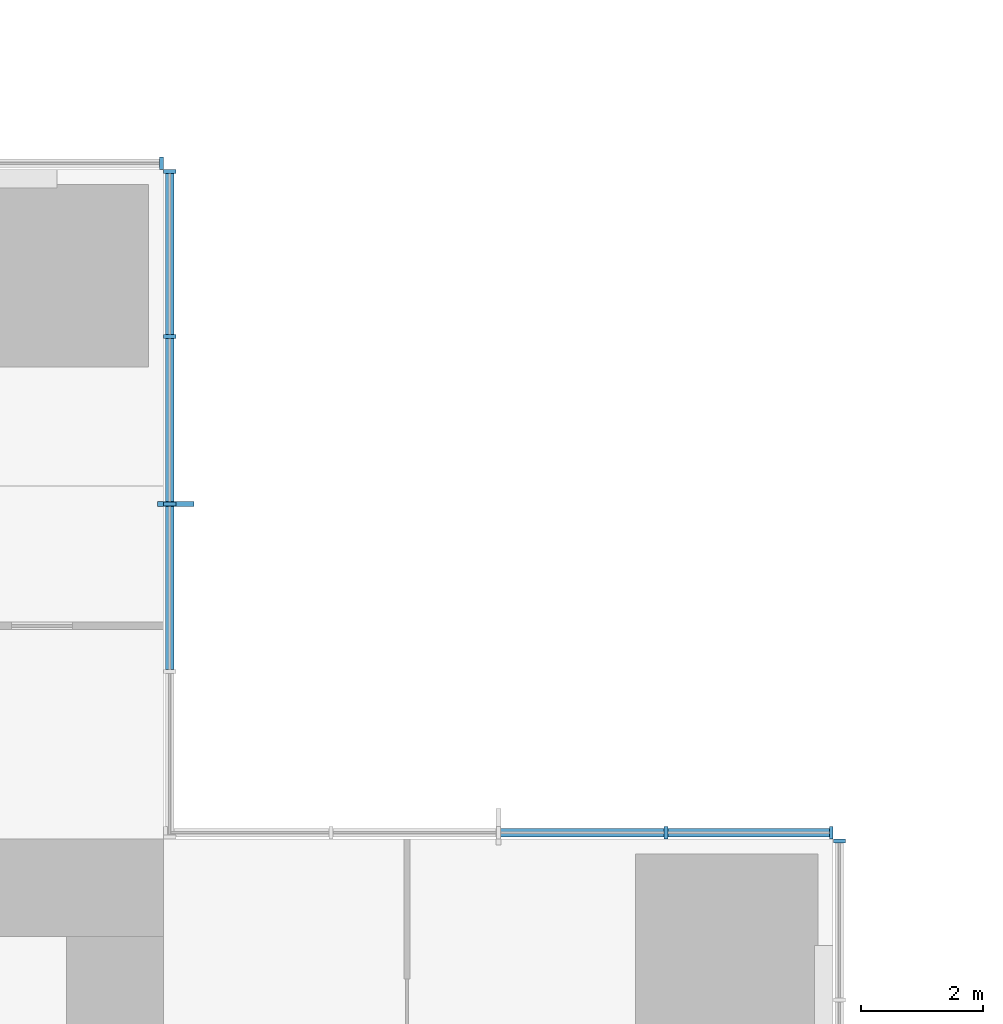
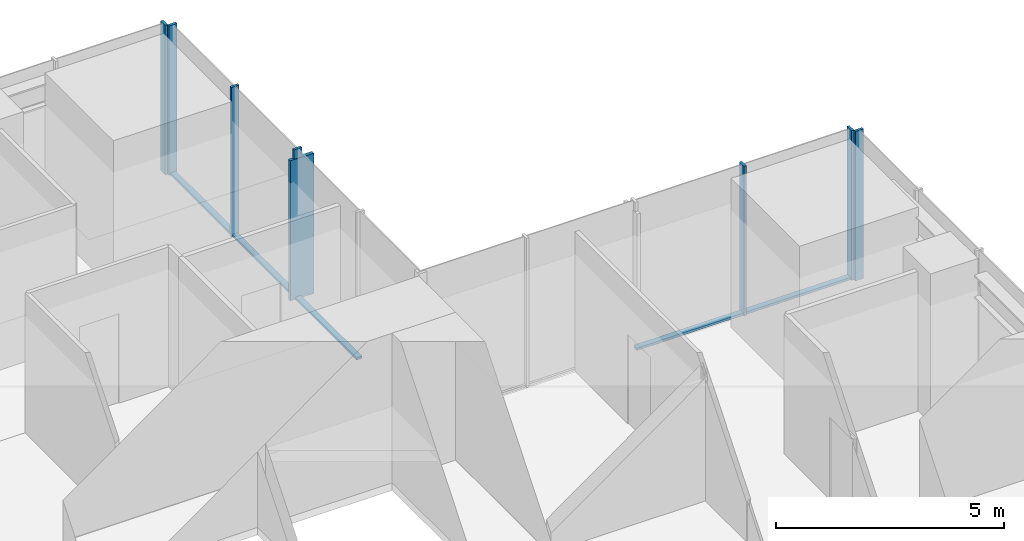
# One storey, part 6 of 14: 13 members, 4 elements without a shape of their own.
"""IFC4 building model written with IfcOpenShell, lengths in metres."""

import ifcopenshell
import ifcopenshell.guid

model = None  # the IFC model being written
_history = None  # IfcOwnerHistory: only IFC2X3 demands one
_inside = {}  # id of a spatial element -> (the spatial element, [elements in it])
_under = {}  # id of a project, library or spatial element -> (it, [spatial elements below it])
_declared = {}  # id of a project -> (the project, [libraries it declares])
_typed = {}  # id of a type object -> (the type object, [elements of that type])
_made_of = {}  # id of a material, layer set ... -> (it, [elements and type objects made of it])


def new_model(schema):
    """Start an empty IFC model of exactly this schema.

    Asked for "IFC4X3", IfcOpenShell would pick the latest addendum, in which some entities
    have other attributes; the version numbers below select the first issue.
    IFC2X3 requires an IfcOwnerHistory on every rooted entity: one is made here for all.
    """
    global model, _history
    if schema == "IFC4X3":
        model = ifcopenshell.file(schema_version=(4, 3, 0, 0))
    else:
        model = ifcopenshell.file(schema=schema)
    _inside.clear()
    _under.clear()
    _declared.clear()
    _typed.clear()
    _made_of.clear()
    _history = None
    if model.schema == "IFC2X3":
        org = make("IfcOrganization", Name="unknown")
        user = make(
            "IfcPersonAndOrganization",
            ThePerson=make("IfcPerson", FamilyName="unknown"),
            TheOrganization=org,
        )
        app = make(
            "IfcApplication",
            ApplicationDeveloper=org,
            Version="unknown",
            ApplicationFullName="unknown",
            ApplicationIdentifier="unknown",
        )
        _history = make(
            "IfcOwnerHistory",
            OwningUser=user,
            OwningApplication=app,
            ChangeAction="ADDED",
            CreationDate=0,
        )
    return model


def make(cls, **values):
    """One entity of the class cls with the attributes given. An attribute that is None is left unset."""
    return model.create_entity(
        cls, **{name: value for name, value in values.items() if value is not None}
    )


def rooted(cls, **values):
    """An entity with a GlobalId (a new one), such as an element, a storey or a relation."""
    return make(cls, GlobalId=ifcopenshell.guid.new(), OwnerHistory=_history, **values)


def si_unit(unit_type, name, prefix=None):
    """IfcSIUnit, for example si_unit("LENGTHUNIT", "METRE", prefix="MILLI")."""
    return make("IfcSIUnit", UnitType=unit_type, Prefix=prefix, Name=name)


def assignment(units):
    """IfcUnitAssignment: the units of a project."""
    return None if units is None else make("IfcUnitAssignment", Units=units)


def point(xyz):
    """IfcCartesianPoint."""
    return None if xyz is None else make("IfcCartesianPoint", Coordinates=xyz)


def direction(xyz):
    """IfcDirection."""
    return None if xyz is None else make("IfcDirection", DirectionRatios=xyz)


def frame(location, z_axis=None, x_axis=None):
    """IfcAxis2Placement3D, a coordinate frame: its origin and axes. An axis left out is left unset."""
    return make(
        "IfcAxis2Placement3D",
        Location=point(location),
        Axis=direction(z_axis),
        RefDirection=direction(x_axis),
    )


def frame_2d(location, x_axis=None):
    """IfcAxis2Placement2D, a coordinate frame in the plane: its origin and x axis."""
    return make(
        "IfcAxis2Placement2D", Location=point(location), RefDirection=direction(x_axis)
    )


def origin():
    """The frame at (0, 0, 0) with its axes left unset."""
    return frame((0.0, 0.0, 0.0))


def origin_2d():
    """The frame at (0, 0) in the plane with its x axis left unset."""
    return frame_2d((0.0, 0.0))


def place(relative_to, where):
    """IfcLocalPlacement: puts the frame where relative to a parent placement (None: the world)."""
    return make(
        "IfcLocalPlacement", PlacementRelTo=relative_to, RelativePlacement=where
    )


def context(
    kind, dimensions, precision=None, world=None, true_north=None, identifier=None
):
    """IfcGeometricRepresentationContext, for example the 3D "Model" context."""
    return make(
        "IfcGeometricRepresentationContext",
        ContextIdentifier=identifier,
        ContextType=kind,
        CoordinateSpaceDimension=dimensions,
        Precision=precision,
        WorldCoordinateSystem=world,
        TrueNorth=true_north,
    )


def subcontext(parent, identifier, kind, view, scale=None):
    """IfcGeometricRepresentationSubContext, for example "Body" below "Model"."""
    return make(
        "IfcGeometricRepresentationSubContext",
        ContextIdentifier=identifier,
        ContextType=kind,
        ParentContext=parent,
        TargetScale=scale,
        TargetView=view,
    )


def project(units=None, contexts=None):
    """IfcProject with its units and contexts."""
    return rooted(
        "IfcProject",
        Name="project",
        RepresentationContexts=contexts,
        UnitsInContext=assignment(units),
    )


def spatial(cls, under=None, at=None, **own):
    """A site, building, storey or space (cls), placed at a placement, below another one or the project."""
    s = rooted(cls, ObjectPlacement=at, **own)
    if under is not None:
        _under.setdefault(under.id(), (under, []))[1].append(s)
    return s


def profile(cls, at=None, kind="AREA", **sizes):
    """A parametric profile (cls). Its sizes go by their IFC names, for example OverallWidth=200.0."""
    return make(cls, ProfileType=kind, Position=at, **sizes)


def rectangle(**sizes):
    """IfcRectangleProfileDef."""
    return profile("IfcRectangleProfileDef", **sizes)


def extrude(swept, where, along, depth):
    """IfcExtrudedAreaSolid: the profile swept, set in the frame where, extruded along a direction by depth."""
    return make(
        "IfcExtrudedAreaSolid",
        SweptArea=swept,
        Position=where,
        ExtrudedDirection=direction(along),
        Depth=depth,
    )


def shape(context_of_items, identifier, shape_type, items):
    """IfcShapeRepresentation: the items that make up one representation, for example the "Body"."""
    return make(
        "IfcShapeRepresentation",
        ContextOfItems=context_of_items,
        RepresentationIdentifier=identifier,
        RepresentationType=shape_type,
        Items=items,
    )


def material(Name=None, Category=None):
    """IfcMaterial."""
    return make("IfcMaterial", Name=Name, Category=Category)


def material_profile(
    of_material, cross_section, Name=None, Category=None, Priority=None
):
    """IfcMaterialProfile: a cross section and its material."""
    return make(
        "IfcMaterialProfile",
        Name=Name,
        Material=of_material,
        Profile=cross_section,
        Priority=Priority,
        Category=Category,
    )


def profile_set(profiles, Name=None, composite=None):
    """IfcMaterialProfileSet."""
    return make(
        "IfcMaterialProfileSet",
        Name=Name,
        MaterialProfiles=profiles,
        CompositeProfile=composite,
    )


def made_of(thing, what):
    """Note that an element or type object is made of a material, layer set ...; save() writes the relation."""
    if what is not None:
        _made_of.setdefault(what.id(), (what, []))[1].append(thing)
    return thing


def type_object(cls, material=None, **own):
    """A type object (cls), such as IfcWallType, which elements share."""
    return made_of(rooted(cls, **own), material)


def element(
    cls,
    number,
    at=None,
    inside=None,
    cuts=None,
    type_object=None,
    material=None,
    context=None,
    identifier="Body",
    shape_type=None,
    held_by="IfcProductDefinitionShape",
    body=None,
    shapes=None,
    **own,
):
    """One element of the class cls, such as IfcWall. Its Tag is "e" and its number.

    at: its placement. inside: the storey or other place that contains it. cuts: it is an
    opening in that element (IfcRelVoidsElement). A single representation is given by context,
    identifier, shape_type and body (its items); several are given by shapes. held_by: the class
    of the entity that holds the representations. save() writes the other relations.
    """
    e = rooted(cls, Tag="e%d" % number, ObjectPlacement=at, **own)
    if body is not None:
        shapes = [shape(context, identifier, shape_type, body)]
    if shapes is not None:
        e.Representation = make(held_by, Representations=shapes)
    if inside is not None:
        _inside.setdefault(inside.id(), (inside, []))[1].append(e)
    if cuts is not None:
        rooted(
            "IfcRelVoidsElement", RelatingBuildingElement=cuts, RelatedOpeningElement=e
        )
    if type_object is not None:
        _typed.setdefault(type_object.id(), (type_object, []))[1].append(e)
    return made_of(e, material)


def aggregate(whole, parts):
    """IfcRelAggregates: a whole, such as a stair, and the parts it consists of."""
    return rooted("IfcRelAggregates", RelatingObject=whole, RelatedObjects=parts)


def save(model, path):
    """Write the relations noted so far, then the file.

    IfcRelAggregates (storeys below a building ...), IfcRelContainedInSpatialStructure (elements
    in a storey), IfcRelDefinesByType, IfcRelAssociatesMaterial and IfcRelDeclares: one each for
    every whole, place, type object, material and project.
    """
    for whole, parts in _under.values():
        aggregate(whole, parts)
    for where, things in _inside.values():
        rooted(
            "IfcRelContainedInSpatialStructure",
            RelatedElements=things,
            RelatingStructure=where,
        )
    for kind, things in _typed.values():
        rooted("IfcRelDefinesByType", RelatedObjects=things, RelatingType=kind)
    for what, things in _made_of.values():
        rooted("IfcRelAssociatesMaterial", RelatedObjects=things, RelatingMaterial=what)
    for by, libraries in _declared.values():
        rooted("IfcRelDeclares", RelatingContext=by, RelatedDefinitions=libraries)
    model.write(path)


model = new_model("IFC4")

# Units and contexts
model_context = context("Model", 3, precision=1e-05, world=origin(), true_north=direction((0.0, 1.0)))
body_context = subcontext(model_context, "Body", "Model", "MODEL_VIEW")
ifc_project = project(units=[si_unit("LENGTHUNIT", "METRE"), si_unit("AREAUNIT", "SQUARE_METRE"), si_unit("VOLUMEUNIT", "CUBIC_METRE"), si_unit("PLANEANGLEUNIT", "RADIAN"), si_unit("MASSUNIT", "GRAM", prefix="KILO")], contexts=[model_context])

# Site, building, storey
site_placement = place(None, origin())
site = spatial("IfcSite", under=ifc_project, at=site_placement, CompositionType="ELEMENT")
building_placement = place(site_placement, origin())
building = spatial("IfcBuilding", under=site, at=building_placement, Name="Svetlomir Tower", CompositionType="ELEMENT")
storey_placement = place(building_placement, frame((0.0, 0.0, 104.5)))
storey = spatial("IfcBuildingStorey", under=building, at=storey_placement, Name="L24", CompositionType="ELEMENT", Elevation=104.5)

# Curtain wall, member
ifc_material_1 = material(Name="Bronze anodised aluminium curtain wall", Category="aluminium")
curtain_wall_type = type_object("IfcCurtainWallType", Name="CURTAIN WALL CW1 TOWER OFFICE", PredefinedType="NOTDEFINED", material=ifc_material_1)
curtain_wall_1_placement = place(storey_placement, origin())
curtain_wall_1 = element("IfcCurtainWall", 1, at=curtain_wall_1_placement, inside=storey, type_object=curtain_wall_type, Name="Curtain wall CW1 L24", PredefinedType="NOTDEFINED")
ifc_material_2 = material(Name="Bronze anodised aluminium", Category="aluminium")
ifc_material_profile_1 = material_profile(ifc_material_2, rectangle(XDim=0.080078125, YDim=0.60009765625, at=origin_2d()), Name="FIN 80x600")
ifc_profile_set_1 = profile_set([ifc_material_profile_1], Name="Bronze anodised aluminium 6063-T6")
member_type_1 = type_object("IfcMemberType", Name="BRONZE FIN 80x600", PredefinedType="USERDEFINED", material=ifc_profile_set_1)
member_1_placement = place(storey_placement, frame((31.199951171875, 36.5, 0.0), z_axis=(0.0, 0.0, 1.0), x_axis=(0.0, 1.0, 0.0)))
member_1 = element("IfcMember", 2, at=member_1_placement, type_object=member_type_1, Name="Bronze fin L24", ObjectType="FIN", PredefinedType="USERDEFINED", context=body_context, shape_type="SweptSolid", body=[
    extrude(rectangle(XDim=0.080078125, YDim=0.60009765625, at=origin_2d()), origin(), (0.0, 0.0, 1.0), 3.75),
])

curtain_wall_2_placement = place(storey_placement, origin())
curtain_wall_2 = element("IfcCurtainWall", 3, at=curtain_wall_2_placement, inside=storey, type_object=curtain_wall_type, Name="Curtain wall CW1 L24", PredefinedType="NOTDEFINED")
ifc_material_3 = material(Name="Bronze anodised aluminium", Category="aluminium")
ifc_material_profile_2 = material_profile(ifc_material_3, rectangle(XDim=0.06494140625, YDim=0.199951171875, at=origin_2d()), Name="AL 65x200")
ifc_profile_set_2 = profile_set([ifc_material_profile_2], Name="Bronze anodised aluminium 6063-T6")
member_type_2 = type_object("IfcMemberType", Name="CW1 MULLION 65x200", PredefinedType="MULLION", material=ifc_profile_set_2)
member_2_placement = place(storey_placement, frame((42.10009765625, 30.967529296875, 0.0), z_axis=(0.0, 0.0, 1.0), x_axis=(0.0, 1.0, 0.0)))
member_2 = element("IfcMember", 4, at=member_2_placement, type_object=member_type_2, Name="CW1 mullion 5", PredefinedType="MULLION", context=body_context, shape_type="SweptSolid", body=[
    extrude(rectangle(XDim=0.06494140625, YDim=0.199951171875, at=origin_2d()), origin(), (0.0, 0.0, 1.0), 4.0),
])
aggregate(curtain_wall_2, [member_2])

# Curtain wall, members
curtain_wall_3_placement = place(storey_placement, origin())
curtain_wall_3 = element("IfcCurtainWall", 5, at=curtain_wall_3_placement, inside=storey, type_object=curtain_wall_type, Name="Curtain wall CW1 L24", PredefinedType="NOTDEFINED")
member_3_placement = place(storey_placement, frame((41.967529296875, 31.10009765625, 0.0), z_axis=(0.0, 0.0, 1.0), x_axis=(-1.0, 0.0, 0.0)))
member_3 = element("IfcMember", 6, at=member_3_placement, type_object=member_type_2, Name="CW1 mullion 1", PredefinedType="MULLION", context=body_context, shape_type="SweptSolid", body=[
    extrude(rectangle(XDim=0.06494140625, YDim=0.199951171875, at=origin_2d()), origin(), (0.0, 0.0, 1.0), 4.0),
])
member_4_placement = place(storey_placement, frame((39.25, 31.10009765625, 0.0), z_axis=(0.0, 0.0, 1.0), x_axis=(-1.0, 0.0, 0.0)))
member_4 = element("IfcMember", 7, at=member_4_placement, type_object=member_type_2, Name="CW1 mullion 2", PredefinedType="MULLION", context=body_context, shape_type="SweptSolid", body=[
    extrude(rectangle(XDim=0.06494140625, YDim=0.199951171875, at=origin_2d()), origin(), (0.0, 0.0, 1.0), 4.0),
])

# Member
member_5_placement = place(storey_placement, frame((31.10009765625, 36.5, 0.0), z_axis=(0.0, 0.0, 1.0), x_axis=(0.0, 1.0, 0.0)))
member_5 = element("IfcMember", 8, at=member_5_placement, type_object=member_type_2, Name="CW1 mullion 3", PredefinedType="MULLION", context=body_context, shape_type="SweptSolid", body=[
    extrude(rectangle(XDim=0.06494140625, YDim=0.199951171875, at=origin_2d()), origin(), (0.0, 0.0, 1.0), 4.0),
])

member_6_placement = place(storey_placement, frame((31.10009765625, 39.25, 0.0), z_axis=(0.0, 0.0, 1.0), x_axis=(0.0, 1.0, 0.0)))
member_6 = element("IfcMember", 9, at=member_6_placement, type_object=member_type_2, Name="CW1 mullion 4", PredefinedType="MULLION", context=body_context, shape_type="SweptSolid", body=[
    extrude(rectangle(XDim=0.06494140625, YDim=0.199951171875, at=origin_2d()), origin(), (0.0, 0.0, 1.0), 4.0),
])

member_7_placement = place(storey_placement, frame((31.10009765625, 41.967529296875, 0.0), z_axis=(0.0, 0.0, 1.0), x_axis=(0.0, 1.0, 0.0)))
member_7 = element("IfcMember", 10, at=member_7_placement, type_object=member_type_2, Name="CW1 mullion 5", PredefinedType="MULLION", context=body_context, shape_type="SweptSolid", body=[
    extrude(rectangle(XDim=0.06494140625, YDim=0.199951171875, at=origin_2d()), origin(), (0.0, 0.0, 1.0), 4.0),
])

# Curtain wall, member
curtain_wall_4_placement = place(storey_placement, origin())
curtain_wall_4 = element("IfcCurtainWall", 11, at=curtain_wall_4_placement, inside=storey, type_object=curtain_wall_type, Name="Curtain wall CW1 L24", PredefinedType="NOTDEFINED")
member_8_placement = place(storey_placement, frame((30.967529296875, 42.10009765625, 0.0), z_axis=(0.0, 0.0, 1.0), x_axis=(-1.0, 0.0, 0.0)))
member_8 = element("IfcMember", 12, at=member_8_placement, type_object=member_type_2, Name="CW1 mullion 1", PredefinedType="MULLION", context=body_context, shape_type="SweptSolid", body=[
    extrude(rectangle(XDim=0.06494140625, YDim=0.199951171875, at=origin_2d()), origin(), (0.0, 0.0, 1.0), 4.0),
])
aggregate(curtain_wall_4, [member_8])

# Member
ifc_material_4 = material(Name="Bronze anodised aluminium", Category="aluminium")
ifc_material_profile_3 = material_profile(ifc_material_4, rectangle(XDim=0.139892578125, YDim=0.06494140625, at=origin_2d()), Name="AL 140x65")
ifc_profile_set_3 = profile_set([ifc_material_profile_3], Name="Bronze anodised aluminium 6063-T6")
member_type_3 = type_object("IfcMemberType", Name="CW1 TRANSOM 65x140", PredefinedType="USERDEFINED", material=ifc_profile_set_3)
member_9_placement = place(storey_placement, frame((41.93505859375, 31.10009765625, 0.032470703125), z_axis=(-1.0, 0.0, 0.0), x_axis=(0.0, -1.0, 0.0)))
member_9 = element("IfcMember", 13, at=member_9_placement, type_object=member_type_3, Name="CW1 transom 1.1", ObjectType="TRANSOM", PredefinedType="USERDEFINED", context=body_context, shape_type="SweptSolid", body=[
    extrude(rectangle(XDim=0.139892578125, YDim=0.06494140625, at=origin_2d()), origin(), (0.0, 0.0, 1.0), 2.652587890625),
])

member_10_placement = place(storey_placement, frame((39.217529296875, 31.10009765625, 0.032470703125), z_axis=(-1.0, 0.0, 0.0), x_axis=(0.0, -1.0, 0.0)))
member_10 = element("IfcMember", 14, at=member_10_placement, type_object=member_type_3, Name="CW1 transom 2.1", ObjectType="TRANSOM", PredefinedType="USERDEFINED", context=body_context, shape_type="SweptSolid", body=[
    extrude(rectangle(XDim=0.139892578125, YDim=0.06494140625, at=origin_2d()), origin(), (0.0, 0.0, 1.0), 2.68505859375),
])

aggregate(curtain_wall_3, [member_3, member_4, member_9, member_10])

member_11_placement = place(storey_placement, frame((31.10009765625, 33.782470703125, 0.032470703125), z_axis=(0.0, 1.0, 0.0), x_axis=(-1.0, 0.0, 0.0)))
member_11 = element("IfcMember", 15, at=member_11_placement, type_object=member_type_3, Name="CW1 transom 2.1", ObjectType="TRANSOM", PredefinedType="USERDEFINED", context=body_context, shape_type="SweptSolid", body=[
    extrude(rectangle(XDim=0.139892578125, YDim=0.06494140625, at=origin_2d()), origin(), (0.0, 0.0, 1.0), 2.68505859375),
])

member_12_placement = place(storey_placement, frame((31.10009765625, 36.532470703125, 0.032470703125), z_axis=(0.0, 1.0, 0.0), x_axis=(-1.0, 0.0, 0.0)))
member_12 = element("IfcMember", 16, at=member_12_placement, type_object=member_type_3, Name="CW1 transom 3.1", ObjectType="TRANSOM", PredefinedType="USERDEFINED", context=body_context, shape_type="SweptSolid", body=[
    extrude(rectangle(XDim=0.139892578125, YDim=0.06494140625, at=origin_2d()), origin(), (0.0, 0.0, 1.0), 2.68505859375),
])

member_13_placement = place(storey_placement, frame((31.10009765625, 39.282470703125, 0.032470703125), z_axis=(0.0, 1.0, 0.0), x_axis=(-1.0, 0.0, 0.0)))
member_13 = element("IfcMember", 17, at=member_13_placement, type_object=member_type_3, Name="CW1 transom 4.1", ObjectType="TRANSOM", PredefinedType="USERDEFINED", context=body_context, shape_type="SweptSolid", body=[
    extrude(rectangle(XDim=0.139892578125, YDim=0.06494140625, at=origin_2d()), origin(), (0.0, 0.0, 1.0), 2.652587890625),
])

aggregate(curtain_wall_1, [member_5, member_6, member_7, member_11, member_12, member_13, member_1])

save(model, "model.ifc")
